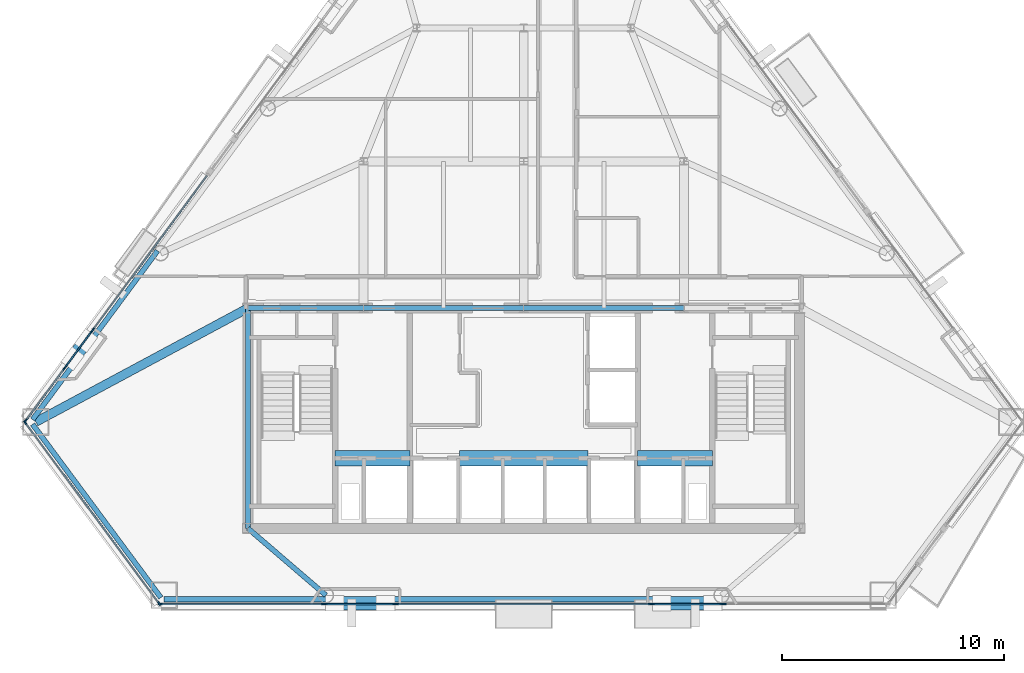
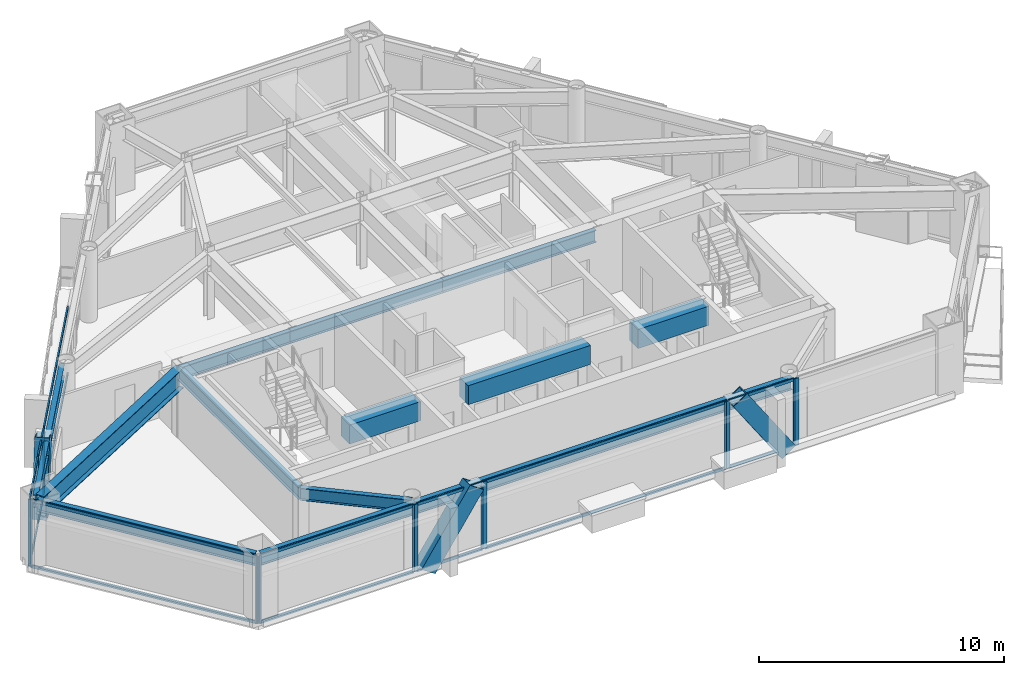
# One storey, part 3 of 11: 35 members, 13 beams, 9 elements without a shape of their own.
"""IFC4 building model written with IfcOpenShell, lengths in metres."""

from ifc_helpers import new_model, si_unit, direction, frame, origin, origin_2d, place, context, subcontext, project, spatial, rectangle, hollow_rectangle, i_section, extrude, material, layer, layer_set, material_profile, profile_set, type_object, element, aggregate, save


model = new_model("IFC4")

# Units and contexts
model_context = context("Model", 3, precision=1e-05, world=origin(), true_north=direction((0.0, 1.0)))
body_context = subcontext(model_context, "Body", "Model", "MODEL_VIEW")
ifc_project = project(units=[si_unit("LENGTHUNIT", "METRE"), si_unit("AREAUNIT", "SQUARE_METRE"), si_unit("VOLUMEUNIT", "CUBIC_METRE"), si_unit("PLANEANGLEUNIT", "RADIAN"), si_unit("MASSUNIT", "GRAM", prefix="KILO")], contexts=[model_context])

# Site, building, storey
site_placement = place(None, origin())
site = spatial("IfcSite", under=ifc_project, at=site_placement, CompositionType="ELEMENT")
building_placement = place(site_placement, origin())
building = spatial("IfcBuilding", under=site, at=building_placement, Name="Talgorran Terracotta Tower", CompositionType="ELEMENT")
storey_placement = place(building_placement, frame((0.0, 0.0, 103.199951171875)))
storey = spatial("IfcBuildingStorey", under=building, at=storey_placement, Name="L26", CompositionType="ELEMENT", Elevation=103.199951171875)

# Beams
ifc_material_1 = material(Name="Steel Grade 350 (350L0)", Category="steel")
ifc_material_profile_1 = material_profile(ifc_material_1, i_section(OverallWidth=0.39990234375, OverallDepth=1.0, WebThickness=0.01611328125, FlangeThickness=0.031005859375, at=origin_2d()), Name="1000WB296")
ifc_profile_set_1 = profile_set([ifc_material_profile_1], Name="Steel Grade 350 (350L0)")
beam_type_1 = type_object("IfcBeamType", Name="BM_1000WB296", PredefinedType="BEAM", material=ifc_profile_set_1)
beam_1_placement = place(storey_placement, frame((-12.39990234375, -4.199951171875, 2.85009765625), z_axis=(-0.88117219048, -0.472795485093, 0.0), x_axis=(0.472795485093, -0.88117219048, 0.0)))
element("IfcBeam", 1, at=beam_1_placement, inside=storey, type_object=beam_type_1, Name="L26 Floor Girder G17", PredefinedType="BEAM", context=body_context, shape_type="SweptSolid", body=[
    extrude(i_section(OverallWidth=0.39990234375, OverallDepth=1.0, WebThickness=0.01611328125, FlangeThickness=0.031005859375, at=origin_2d()), origin(), (0.0, 0.0, 1.0), 10.820068359375),
])
ifc_material_2 = material(Name="Concrete C65/80", Category="concrete")
ifc_material_profile_2 = material_profile(ifc_material_2, rectangle(XDim=0.699951171875, YDim=0.949951171875, at=origin_2d()), Name="RCCB700X950")
ifc_profile_set_2 = profile_set([ifc_material_profile_2], Name="Concrete C65/80")
beam_type_2 = type_object("IfcBeamType", Name="BM_CB_700X950", PredefinedType="LINTEL", material=ifc_profile_set_2)
beam_2_placement = place(storey_placement, frame((-8.47998046875, -10.949951171875, 2.875), z_axis=(1.0, 0.0, 0.0), x_axis=(0.0, 1.0, 0.0)))
element("IfcBeam", 2, at=beam_2_placement, inside=storey, type_object=beam_type_2, Name="L26 Core Shear-Wall Coupling Beam CB1", PredefinedType="LINTEL", context=body_context, shape_type="SweptSolid", body=[
    extrude(rectangle(XDim=0.699951171875, YDim=0.949951171875, at=origin_2d()), origin(), (0.0, 0.0, 1.0), 3.35986328125),
])
beam_3_placement = place(storey_placement, frame((-2.8798828125, -10.949951171875, 2.875), z_axis=(1.0, 0.0, 0.0), x_axis=(0.0, 1.0, 0.0)))
element("IfcBeam", 3, at=beam_3_placement, inside=storey, type_object=beam_type_2, Name="L26 Core Shear-Wall Coupling Beam CB2", PredefinedType="LINTEL", context=body_context, shape_type="SweptSolid", body=[
    extrude(rectangle(XDim=0.699951171875, YDim=0.949951171875, at=origin_2d()), origin(), (0.0, 0.0, 1.0), 5.759765625),
])
beam_4_placement = place(storey_placement, frame((5.1201171875, -10.949951171875, 2.875), z_axis=(1.0, 0.0, 0.0), x_axis=(0.0, 1.0, 0.0)))
element("IfcBeam", 4, at=beam_4_placement, inside=storey, type_object=beam_type_2, Name="L26 Core Shear-Wall Coupling Beam CB3", PredefinedType="LINTEL", context=body_context, shape_type="SweptSolid", body=[
    extrude(rectangle(XDim=0.699951171875, YDim=0.949951171875, at=origin_2d()), origin(), (0.0, 0.0, 1.0), 3.35986328125),
])
ifc_material_3 = material(Name="Steel S355 (300PLUS)", Category="steel")
ifc_material_profile_3 = material_profile(ifc_material_3, i_section(OverallWidth=0.22900390625, OverallDepth=0.611572265625, WebThickness=0.011962890625, FlangeThickness=0.01953125, at=origin_2d()), Name="610UB125")
ifc_profile_set_3 = profile_set([ifc_material_profile_3], Name="Steel S355 (300PLUS)")
beam_type_3 = type_object("IfcBeamType", Name="BM_SP_610UB125", PredefinedType="SPANDREL", material=ifc_profile_set_3)
beam_5_placement = place(storey_placement, frame((-22.0791015625, -9.422607421875, 3.044189453125), z_axis=(0.594914928608, -0.803788671057, 0.0), x_axis=(0.803788671057, 0.594914928608, 0.0)))
element("IfcBeam", 5, at=beam_5_placement, inside=storey, type_object=beam_type_3, Name="L26 Perimeter Spandrel Beam MC1-MC2", PredefinedType="SPANDREL", context=body_context, shape_type="SweptSolid", body=[
    extrude(i_section(OverallWidth=0.22900390625, OverallDepth=0.611572265625, WebThickness=0.011962890625, FlangeThickness=0.01953125, at=origin_2d()), origin(), (0.0, 0.0, 1.0), 9.6943359375),
])
beam_6_placement = place(storey_placement, frame((-16.1669921875, -17.287841796875, 3.044189453125), z_axis=(1.0, 0.0, 0.0), x_axis=(0.0, 1.0, 0.0)))
element("IfcBeam", 6, at=beam_6_placement, inside=storey, type_object=beam_type_3, Name="L26 Perimeter Spandrel Beam MC2-FC1", PredefinedType="SPANDREL", context=body_context, shape_type="SweptSolid", body=[
    extrude(i_section(OverallWidth=0.22900390625, OverallDepth=0.611572265625, WebThickness=0.011962890625, FlangeThickness=0.01953125, at=origin_2d()), origin(), (0.0, 0.0, 1.0), 7.275146484375),
])
beam_7_placement = place(storey_placement, frame((-8.891845703125, -17.287841796875, 3.044189453125), z_axis=(1.0, 0.0, 0.0), x_axis=(0.0, 1.0, 0.0)))
element("IfcBeam", 7, at=beam_7_placement, inside=storey, type_object=beam_type_3, Name="L26 Perimeter Spandrel Beam FC1-FC2", PredefinedType="SPANDREL", context=body_context, shape_type="SweptSolid", body=[
    extrude(i_section(OverallWidth=0.22900390625, OverallDepth=0.611572265625, WebThickness=0.011962890625, FlangeThickness=0.01953125, at=origin_2d()), origin(), (0.0, 0.0, 1.0), 17.78369140625),
])
beam_8_placement = place(storey_placement, frame((-16.46337890625, -1.621337890625, 3.044189453125), z_axis=(-0.594926898508, -0.803779811535, 0.0), x_axis=(0.803779811535, -0.594926898508, 0.0)))
element("IfcBeam", 8, at=beam_8_placement, inside=storey, type_object=beam_type_3, Name="L26 Perimeter Spandrel Beam FC6-MC1", PredefinedType="SPANDREL", context=body_context, shape_type="SweptSolid", body=[
    extrude(i_section(OverallWidth=0.22900390625, OverallDepth=0.611572265625, WebThickness=0.011962890625, FlangeThickness=0.01953125, at=origin_2d()), origin(), (0.0, 0.0, 1.0), 9.439453125),
])
beam_9_placement = place(storey_placement, frame((-8.891845703125, -17.10791015625, 3.044189453125), z_axis=(-0.759159629556, 0.650904491345, 0.0), x_axis=(-0.650904491345, -0.759159629556, 0.0)))
element("IfcBeam", 9, at=beam_9_placement, inside=storey, type_object=beam_type_3, Name="L26 South-West Core Tie Beam", PredefinedType="SPANDREL", context=body_context, shape_type="SweptSolid", body=[
    extrude(i_section(OverallWidth=0.22900390625, OverallDepth=0.611572265625, WebThickness=0.011962890625, FlangeThickness=0.01953125, at=origin_2d()), origin(), (0.0, 0.0, 1.0), 4.62109375),
])
beam_10_placement = place(storey_placement, frame((-12.39990234375, -14.10009765625, 3.044189453125), z_axis=(0.0, 1.0, 0.0), x_axis=(-1.0, 0.0, 0.0)))
element("IfcBeam", 10, at=beam_10_placement, inside=storey, type_object=beam_type_3, Name="L26 Core Frame Beam CFW", PredefinedType="SPANDREL", context=body_context, shape_type="SweptSolid", body=[
    extrude(i_section(OverallWidth=0.22900390625, OverallDepth=0.611572265625, WebThickness=0.011962890625, FlangeThickness=0.01953125, at=origin_2d()), origin(), (0.0, 0.0, 1.0), 9.900146484375),
])
beam_11_placement = place(storey_placement, frame((-12.39990234375, -4.199951171875, 3.044189453125), z_axis=(1.0, 0.0, 0.0), x_axis=(0.0, 1.0, 0.0)))
element("IfcBeam", 11, at=beam_11_placement, inside=storey, type_object=beam_type_3, Name="L26 Core Frame Beam CFN1", PredefinedType="SPANDREL", context=body_context, shape_type="SweptSolid", body=[
    extrude(i_section(OverallWidth=0.22900390625, OverallDepth=0.611572265625, WebThickness=0.011962890625, FlangeThickness=0.01953125, at=origin_2d()), origin(), (0.0, 0.0, 1.0), 5.199951171875),
])
for number, where, z_axis, x_axis, name in (
    (12, (-7.199951171875, -4.199951171875, 3.044189453125), (1.0, 0.0, 0.0), (0.0, 1.0, 0.0), "L26 Core Frame Beam CFN2"),
    (13, (0.0, -4.199951171875, 3.044189453125), (1.0, 0.0, 0.0), (0.0, 1.0, 0.0), "L26 Core Frame Beam CFN3"),
):
    element("IfcBeam", number, at=place(storey_placement, frame(where, z_axis=z_axis, x_axis=x_axis)), inside=storey, type_object=beam_type_3, Name=name, PredefinedType="SPANDREL", context=body_context, shape_type="SweptSolid", body=[
        extrude(i_section(OverallWidth=0.22900390625, OverallDepth=0.611572265625, WebThickness=0.011962890625, FlangeThickness=0.01953125, at=origin_2d()), origin(), (0.0, 0.0, 1.0), 7.199951171875),
    ])

# Members
ifc_material_profile_4 = material_profile(ifc_material_1, hollow_rectangle(XDim=0.6201171875, YDim=0.780029296875, WallThickness=0.0419921875, at=origin_2d()), Name="WBOX780X620X42")
ifc_profile_set_4 = profile_set([ifc_material_profile_4], Name="Steel Grade 350 (350L0)")
member_type_1 = type_object("IfcMemberType", Name="MB_MEGA_780", PredefinedType="BRACE", material=ifc_profile_set_4)
for number, where, z_axis, x_axis, name in (
    (14, (-8.501220703125, -17.4677734375, -0.02490234375), (0.558447320201, 0.0, 0.829539987319), (0.0, 1.0, 0.0), "L26 Exterior Face Mega-Brace MB-2 (SWF)"),
    (15, (8.501220703125, -17.4677734375, -0.02490234375), (-0.558447320201, 0.0, 0.829539987319), (0.0, -1.0, 0.0), "L26 Exterior Face Mega-Brace MB-2 (SEF)"),
):
    element("IfcMember", number, at=place(storey_placement, frame(where, z_axis=z_axis, x_axis=x_axis)), inside=storey, type_object=member_type_1, Name=name, PredefinedType="BRACE", context=body_context, shape_type="SweptSolid", body=[
        extrude(hollow_rectangle(XDim=0.6201171875, YDim=0.780029296875, WallThickness=0.0419921875, at=origin_2d()), origin(), (0.0, 0.0, 1.0), 4.0986328125),
    ])
member_1_placement = place(storey_placement, frame((-20.278076171875, -6.47265625, -0.02490234375), z_axis=(0.17009895809, 0.229826262144, 0.958251654674), x_axis=(-0.803795867717, 0.594905205089, 0.0)))
element("IfcMember", 16, at=member_1_placement, inside=storey, type_object=member_type_1, Name="L26 Exterior Face Mega-Brace MB-2 (NWL)", PredefinedType="BRACE", context=body_context, shape_type="SweptSolid", body=[
    extrude(hollow_rectangle(XDim=0.6201171875, YDim=0.780029296875, WallThickness=0.0419921875, at=origin_2d()), origin(), (0.0, 0.0, 1.0), 3.548095703125),
])

# Curtain wall, members
ifc_material_4 = material(Name="Unitised Low-E Double Glazing", Category="glass")
ifc_layer = layer(ifc_material_4, 0.199951171875, Name="CW_SYS2_RES_LOW")
ifc_layer_set = layer_set([ifc_layer], Name="Unitised Low-E Double Glazing")
curtain_wall_type = type_object("IfcCurtainWallType", Name="CW_SYS2_RES_LOW", PredefinedType="NOTDEFINED", material=ifc_layer_set)
curtain_wall_1_placement = place(storey_placement, origin())
curtain_wall_1 = element("IfcCurtainWall", 17, at=curtain_wall_1_placement, inside=storey, type_object=curtain_wall_type, Name="CW-L26-F0", PredefinedType="NOTDEFINED")
ifc_material_5 = material(Name="Architectural Aluminium 6063-T6", Category="aluminium")
ifc_material_profile_5 = material_profile(ifc_material_5, rectangle(XDim=0.06494140625, YDim=0.18505859375, at=origin_2d()), Name="CWM65X185")
ifc_profile_set_5 = profile_set([ifc_material_profile_5], Name="Architectural Aluminium 6063-T6")
member_type_2 = type_object("IfcMemberType", Name="MUL_65X185", PredefinedType="MULLION", material=ifc_profile_set_5)
member_2_placement = place(storey_placement, frame((-22.41259765625, -9.341796875, 0.0), z_axis=(0.0, 0.0, 1.0), x_axis=(0.803791602963, 0.594910967294, 0.0)))
member_2 = element("IfcMember", 18, at=member_2_placement, type_object=member_type_2, Name="CW-L26-0 mullion 1", PredefinedType="MULLION", context=body_context, shape_type="SweptSolid", body=[
    extrude(rectangle(XDim=0.06494140625, YDim=0.18505859375, at=origin_2d()), origin(), (0.0, 0.0, 1.0), 3.35009765625),
])
member_3_placement = place(storey_placement, frame((-16.387939453125, -17.481689453125, 0.0), z_axis=(0.0, 0.0, 1.0), x_axis=(0.803791602963, 0.594910967294, 0.0)))
member_3 = element("IfcMember", 19, at=member_3_placement, type_object=member_type_2, Name="CW-L26-0 mullion 2", PredefinedType="MULLION", context=body_context, shape_type="SweptSolid", body=[
    extrude(rectangle(XDim=0.06494140625, YDim=0.18505859375, at=origin_2d()), origin(), (0.0, 0.0, 1.0), 3.35009765625),
])

curtain_wall_2_placement = place(storey_placement, origin())
curtain_wall_2 = element("IfcCurtainWall", 20, at=curtain_wall_2_placement, inside=storey, type_object=curtain_wall_type, Name="CW-L26-F1", PredefinedType="NOTDEFINED")
member_4_placement = place(storey_placement, frame((-16.336181640625, -17.5078125, 0.0), z_axis=(0.0, 0.0, 1.0), x_axis=(0.0, 1.0, 0.0)))
member_4 = element("IfcMember", 21, at=member_4_placement, type_object=member_type_2, Name="CW-L26-1 mullion 1", PredefinedType="MULLION", context=body_context, shape_type="SweptSolid", body=[
    extrude(rectangle(XDim=0.06494140625, YDim=0.18505859375, at=origin_2d()), origin(), (0.0, 0.0, 1.0), 3.35009765625),
])
member_5_placement = place(storey_placement, frame((-9.01220703125, -17.5078125, 0.0), z_axis=(0.0, 0.0, 1.0), x_axis=(0.0, 1.0, 0.0)))
member_5 = element("IfcMember", 22, at=member_5_placement, type_object=member_type_2, Name="CW-L26-1 mullion 2", PredefinedType="MULLION", context=body_context, shape_type="SweptSolid", body=[
    extrude(rectangle(XDim=0.06494140625, YDim=0.18505859375, at=origin_2d()), origin(), (0.0, 0.0, 1.0), 3.35009765625),
])

curtain_wall_3_placement = place(storey_placement, origin())
curtain_wall_3 = element("IfcCurtainWall", 23, at=curtain_wall_3_placement, inside=storey, type_object=curtain_wall_type, Name="CW-L26-F1B", PredefinedType="NOTDEFINED")
member_6_placement = place(storey_placement, frame((-8.937255859375, -17.5078125, 0.0), z_axis=(0.0, 0.0, 1.0), x_axis=(0.0, 1.0, 0.0)))
member_6 = element("IfcMember", 24, at=member_6_placement, type_object=member_type_2, Name="CW-L26-1B mullion 1", PredefinedType="MULLION", context=body_context, shape_type="SweptSolid", body=[
    extrude(rectangle(XDim=0.06494140625, YDim=0.18505859375, at=origin_2d()), origin(), (0.0, 0.0, 1.0), 3.35009765625),
])
member_7_placement = place(storey_placement, frame((-5.7763671875, -17.5078125, 0.0), z_axis=(0.0, 0.0, 1.0), x_axis=(0.0, 1.0, 0.0)))
member_7 = element("IfcMember", 25, at=member_7_placement, type_object=member_type_2, Name="CW-L26-1B mullion 2", PredefinedType="MULLION", context=body_context, shape_type="SweptSolid", body=[
    extrude(rectangle(XDim=0.06494140625, YDim=0.18505859375, at=origin_2d()), origin(), (0.0, 0.0, 1.0), 3.35009765625),
])

curtain_wall_4_placement = place(storey_placement, origin())
curtain_wall_4 = element("IfcCurtainWall", 26, at=curtain_wall_4_placement, inside=storey, type_object=curtain_wall_type, Name="CW-L26-F1C", PredefinedType="NOTDEFINED")
member_8_placement = place(storey_placement, frame((-5.701416015625, -17.5078125, 0.0), z_axis=(0.0, 0.0, 1.0), x_axis=(0.0, 1.0, 0.0)))
member_8 = element("IfcMember", 27, at=member_8_placement, type_object=member_type_2, Name="CW-L26-1C mullion 1", PredefinedType="MULLION", context=body_context, shape_type="SweptSolid", body=[
    extrude(rectangle(XDim=0.06494140625, YDim=0.18505859375, at=origin_2d()), origin(), (0.0, 0.0, 1.0), 3.35009765625),
])
member_9_placement = place(storey_placement, frame((5.701416015625, -17.5078125, 0.0), z_axis=(0.0, 0.0, 1.0), x_axis=(0.0, 1.0, 0.0)))
member_9 = element("IfcMember", 28, at=member_9_placement, type_object=member_type_2, Name="CW-L26-1C mullion 2", PredefinedType="MULLION", context=body_context, shape_type="SweptSolid", body=[
    extrude(rectangle(XDim=0.06494140625, YDim=0.18505859375, at=origin_2d()), origin(), (0.0, 0.0, 1.0), 3.35009765625),
])

curtain_wall_5_placement = place(storey_placement, origin())
curtain_wall_5 = element("IfcCurtainWall", 29, at=curtain_wall_5_placement, inside=storey, type_object=curtain_wall_type, Name="CW-L26-F1D", PredefinedType="NOTDEFINED")
member_10_placement = place(storey_placement, frame((5.7763671875, -17.5078125, 0.0), z_axis=(0.0, 0.0, 1.0), x_axis=(0.0, 1.0, 0.0)))
member_10 = element("IfcMember", 30, at=member_10_placement, type_object=member_type_2, Name="CW-L26-1D mullion 1", PredefinedType="MULLION", context=body_context, shape_type="SweptSolid", body=[
    extrude(rectangle(XDim=0.06494140625, YDim=0.18505859375, at=origin_2d()), origin(), (0.0, 0.0, 1.0), 3.35009765625),
])
member_11_placement = place(storey_placement, frame((8.937255859375, -17.5078125, 0.0), z_axis=(0.0, 0.0, 1.0), x_axis=(0.0, 1.0, 0.0)))
member_11 = element("IfcMember", 31, at=member_11_placement, type_object=member_type_2, Name="CW-L26-1D mullion 2", PredefinedType="MULLION", context=body_context, shape_type="SweptSolid", body=[
    extrude(rectangle(XDim=0.06494140625, YDim=0.18505859375, at=origin_2d()), origin(), (0.0, 0.0, 1.0), 3.35009765625),
])

# Curtain wall, member
curtain_wall_6_placement = place(storey_placement, origin())
curtain_wall_6 = element("IfcCurtainWall", 32, at=curtain_wall_6_placement, inside=storey, type_object=curtain_wall_type, Name="CW-L26-F1E", PredefinedType="NOTDEFINED")
member_12_placement = place(storey_placement, frame((9.01220703125, -17.5078125, 0.0), z_axis=(0.0, 0.0, 1.0), x_axis=(0.0, 1.0, 0.0)))
member_12 = element("IfcMember", 33, at=member_12_placement, type_object=member_type_2, Name="CW-L26-1E mullion 1", PredefinedType="MULLION", context=body_context, shape_type="SweptSolid", body=[
    extrude(rectangle(XDim=0.06494140625, YDim=0.18505859375, at=origin_2d()), origin(), (0.0, 0.0, 1.0), 3.35009765625),
])
aggregate(curtain_wall_6, [member_12])

curtain_wall_7_placement = place(storey_placement, origin())
curtain_wall_7 = element("IfcCurtainWall", 34, at=curtain_wall_7_placement, inside=storey, type_object=curtain_wall_type, Name="CW-L26-F61", PredefinedType="NOTDEFINED")
member_13_placement = place(storey_placement, frame((-19.372802734375, -5.182373046875, 0.0), z_axis=(0.0, 0.0, 1.0), x_axis=(0.803792209183, -0.594910148221, 0.0)))
member_13 = element("IfcMember", 35, at=member_13_placement, type_object=member_type_2, Name="CW-L26-61 mullion 2", PredefinedType="MULLION", context=body_context, shape_type="SweptSolid", body=[
    extrude(rectangle(XDim=0.06494140625, YDim=0.18505859375, at=origin_2d()), origin(), (0.0, 0.0, 1.0), 3.35009765625),
])

# Curtain wall, members
curtain_wall_8_placement = place(storey_placement, origin())
curtain_wall_8 = element("IfcCurtainWall", 36, at=curtain_wall_8_placement, inside=storey, type_object=curtain_wall_type, Name="CW-L26-F61B", PredefinedType="NOTDEFINED")
member_14_placement = place(storey_placement, frame((-19.41748046875, -5.24267578125, 0.0), z_axis=(0.0, 0.0, 1.0), x_axis=(0.803791095185, -0.594911653358, 0.0)))
member_14 = element("IfcMember", 37, at=member_14_placement, type_object=member_type_2, Name="CW-L26-61B mullion 1", PredefinedType="MULLION", context=body_context, shape_type="SweptSolid", body=[
    extrude(rectangle(XDim=0.06494140625, YDim=0.18505859375, at=origin_2d()), origin(), (0.0, 0.0, 1.0), 3.35009765625),
])
member_15_placement = place(storey_placement, frame((-20.599365234375, -6.839599609375, 0.0), z_axis=(0.0, 0.0, 1.0), x_axis=(0.803791095185, -0.594911653358, 0.0)))
member_15 = element("IfcMember", 38, at=member_15_placement, type_object=member_type_2, Name="CW-L26-61B mullion 2", PredefinedType="MULLION", context=body_context, shape_type="SweptSolid", body=[
    extrude(rectangle(XDim=0.06494140625, YDim=0.18505859375, at=origin_2d()), origin(), (0.0, 0.0, 1.0), 3.35009765625),
])

curtain_wall_9_placement = place(storey_placement, origin())
curtain_wall_9 = element("IfcCurtainWall", 39, at=curtain_wall_9_placement, inside=storey, type_object=curtain_wall_type, Name="CW-L26-F61C", PredefinedType="NOTDEFINED")
member_16_placement = place(storey_placement, frame((-20.64404296875, -6.89990234375, 0.0), z_axis=(0.0, 0.0, 1.0), x_axis=(0.803782876966, -0.594922756915, 0.0)))
member_16 = element("IfcMember", 40, at=member_16_placement, type_object=member_type_2, Name="CW-L26-61C mullion 1", PredefinedType="MULLION", context=body_context, shape_type="SweptSolid", body=[
    extrude(rectangle(XDim=0.06494140625, YDim=0.18505859375, at=origin_2d()), origin(), (0.0, 0.0, 1.0), 3.35009765625),
])
member_17_placement = place(storey_placement, frame((-22.388671875, -9.25732421875, 0.0), z_axis=(0.0, 0.0, 1.0), x_axis=(0.803782876966, -0.594922756915, 0.0)))
member_17 = element("IfcMember", 41, at=member_17_placement, type_object=member_type_2, Name="CW-L26-61C mullion 2", PredefinedType="MULLION", context=body_context, shape_type="SweptSolid", body=[
    extrude(rectangle(XDim=0.06494140625, YDim=0.18505859375, at=origin_2d()), origin(), (0.0, 0.0, 1.0), 3.35009765625),
])

# Member
ifc_material_profile_6 = material_profile(ifc_material_5, rectangle(XDim=0.06494140625, YDim=0.14990234375, at=origin_2d()), Name="CWT65X150")
ifc_profile_set_6 = profile_set([ifc_material_profile_6], Name="Architectural Aluminium 6063-T6")
member_type_3 = type_object("IfcMemberType", Name="TRN_65X150", PredefinedType="USERDEFINED", material=ifc_profile_set_6)
member_18_placement = place(storey_placement, frame((-22.393310546875, -9.367919921875, 0.032470703125), z_axis=(0.594921707511, -0.803783653686, 0.0), x_axis=(0.803783653686, 0.594921707511, 0.0)))
member_18 = element("IfcMember", 42, at=member_18_placement, type_object=member_type_3, Name="CW-L26-0 transom 1.1", ObjectType="TRANSOM", PredefinedType="USERDEFINED", context=body_context, shape_type="SweptSolid", body=[
    extrude(rectangle(XDim=0.06494140625, YDim=0.14990234375, at=origin_2d()), origin(), (0.0, 0.0, 1.0), 10.06201171875),
])

member_19_placement = place(storey_placement, frame((-22.393310546875, -9.367919921875, 3.317626953125), z_axis=(0.594921707511, -0.803783653686, 0.0), x_axis=(0.803783653686, 0.594921707511, 0.0)))
member_19 = element("IfcMember", 43, at=member_19_placement, type_object=member_type_3, Name="CW-L26-0 transom 1.2", ObjectType="TRANSOM", PredefinedType="USERDEFINED", context=body_context, shape_type="SweptSolid", body=[
    extrude(rectangle(XDim=0.06494140625, YDim=0.14990234375, at=origin_2d()), origin(), (0.0, 0.0, 1.0), 10.06201171875),
])

aggregate(curtain_wall_1, [member_2, member_3, member_18, member_19])

member_20_placement = place(storey_placement, frame((-16.3037109375, -17.5078125, 0.032470703125), z_axis=(1.0, 0.0, 0.0), x_axis=(0.0, 1.0, 0.0)))
member_20 = element("IfcMember", 44, at=member_20_placement, type_object=member_type_3, Name="CW-L26-1 transom 1.1", ObjectType="TRANSOM", PredefinedType="USERDEFINED", context=body_context, shape_type="SweptSolid", body=[
    extrude(rectangle(XDim=0.06494140625, YDim=0.14990234375, at=origin_2d()), origin(), (0.0, 0.0, 1.0), 7.259033203125),
])

member_21_placement = place(storey_placement, frame((-16.3037109375, -17.5078125, 3.317626953125), z_axis=(1.0, 0.0, 0.0), x_axis=(0.0, 1.0, 0.0)))
member_21 = element("IfcMember", 45, at=member_21_placement, type_object=member_type_3, Name="CW-L26-1 transom 1.2", ObjectType="TRANSOM", PredefinedType="USERDEFINED", context=body_context, shape_type="SweptSolid", body=[
    extrude(rectangle(XDim=0.06494140625, YDim=0.14990234375, at=origin_2d()), origin(), (0.0, 0.0, 1.0), 7.259033203125),
])

aggregate(curtain_wall_2, [member_4, member_5, member_20, member_21])

member_22_placement = place(storey_placement, frame((-8.90478515625, -17.5078125, 0.032470703125), z_axis=(1.0, 0.0, 0.0), x_axis=(0.0, 1.0, 0.0)))
member_22 = element("IfcMember", 46, at=member_22_placement, type_object=member_type_3, Name="CW-L26-1B transom 1.1", ObjectType="TRANSOM", PredefinedType="USERDEFINED", context=body_context, shape_type="SweptSolid", body=[
    extrude(rectangle(XDim=0.06494140625, YDim=0.14990234375, at=origin_2d()), origin(), (0.0, 0.0, 1.0), 3.095947265625),
])

member_23_placement = place(storey_placement, frame((-8.90478515625, -17.5078125, 3.317626953125), z_axis=(1.0, 0.0, 0.0), x_axis=(0.0, 1.0, 0.0)))
member_23 = element("IfcMember", 47, at=member_23_placement, type_object=member_type_3, Name="CW-L26-1B transom 1.2", ObjectType="TRANSOM", PredefinedType="USERDEFINED", context=body_context, shape_type="SweptSolid", body=[
    extrude(rectangle(XDim=0.06494140625, YDim=0.14990234375, at=origin_2d()), origin(), (0.0, 0.0, 1.0), 3.095947265625),
])

aggregate(curtain_wall_3, [member_6, member_7, member_22, member_23])

member_24_placement = place(storey_placement, frame((-5.6689453125, -17.5078125, 0.032470703125), z_axis=(1.0, 0.0, 0.0), x_axis=(0.0, 1.0, 0.0)))
member_24 = element("IfcMember", 48, at=member_24_placement, type_object=member_type_3, Name="CW-L26-1C transom 1.1", ObjectType="TRANSOM", PredefinedType="USERDEFINED", context=body_context, shape_type="SweptSolid", body=[
    extrude(rectangle(XDim=0.06494140625, YDim=0.14990234375, at=origin_2d()), origin(), (0.0, 0.0, 1.0), 11.337890625),
])

member_25_placement = place(storey_placement, frame((-5.6689453125, -17.5078125, 3.317626953125), z_axis=(1.0, 0.0, 0.0), x_axis=(0.0, 1.0, 0.0)))
member_25 = element("IfcMember", 49, at=member_25_placement, type_object=member_type_3, Name="CW-L26-1C transom 1.2", ObjectType="TRANSOM", PredefinedType="USERDEFINED", context=body_context, shape_type="SweptSolid", body=[
    extrude(rectangle(XDim=0.06494140625, YDim=0.14990234375, at=origin_2d()), origin(), (0.0, 0.0, 1.0), 11.337890625),
])

aggregate(curtain_wall_4, [member_8, member_9, member_24, member_25])

member_26_placement = place(storey_placement, frame((5.808837890625, -17.5078125, 0.032470703125), z_axis=(1.0, 0.0, 0.0), x_axis=(0.0, 1.0, 0.0)))
member_26 = element("IfcMember", 50, at=member_26_placement, type_object=member_type_3, Name="CW-L26-1D transom 1.1", ObjectType="TRANSOM", PredefinedType="USERDEFINED", context=body_context, shape_type="SweptSolid", body=[
    extrude(rectangle(XDim=0.06494140625, YDim=0.14990234375, at=origin_2d()), origin(), (0.0, 0.0, 1.0), 3.095947265625),
])

member_27_placement = place(storey_placement, frame((5.808837890625, -17.5078125, 3.317626953125), z_axis=(1.0, 0.0, 0.0), x_axis=(0.0, 1.0, 0.0)))
member_27 = element("IfcMember", 51, at=member_27_placement, type_object=member_type_3, Name="CW-L26-1D transom 1.2", ObjectType="TRANSOM", PredefinedType="USERDEFINED", context=body_context, shape_type="SweptSolid", body=[
    extrude(rectangle(XDim=0.06494140625, YDim=0.14990234375, at=origin_2d()), origin(), (0.0, 0.0, 1.0), 3.095947265625),
])

aggregate(curtain_wall_5, [member_10, member_11, member_26, member_27])

member_28_placement = place(storey_placement, frame((-14.243896484375, 1.747314453125, 0.032470703125), z_axis=(-0.594916840083, -0.803787256297, 0.0), x_axis=(0.803787256297, -0.594916840083, 0.0)))
member_28 = element("IfcMember", 52, at=member_28_placement, type_object=member_type_3, Name="CW-L26-61 transom 1.1", ObjectType="TRANSOM", PredefinedType="USERDEFINED", context=body_context, shape_type="SweptSolid", body=[
    extrude(rectangle(XDim=0.06494140625, YDim=0.14990234375, at=origin_2d()), origin(), (0.0, 0.0, 1.0), 8.5888671875),
])

member_29_placement = place(storey_placement, frame((-14.243896484375, 1.747314453125, 3.317626953125), z_axis=(-0.594916840083, -0.803787256297, 0.0), x_axis=(0.803787256297, -0.594916840083, 0.0)))
member_29 = element("IfcMember", 53, at=member_29_placement, type_object=member_type_3, Name="CW-L26-61 transom 1.2", ObjectType="TRANSOM", PredefinedType="USERDEFINED", context=body_context, shape_type="SweptSolid", body=[
    extrude(rectangle(XDim=0.06494140625, YDim=0.14990234375, at=origin_2d()), origin(), (0.0, 0.0, 1.0), 8.5888671875),
])

aggregate(curtain_wall_7, [member_13, member_28, member_29])

member_30_placement = place(storey_placement, frame((-19.436767578125, -5.268798828125, 0.032470703125), z_axis=(-0.594926732123, -0.803779934687, 0.0), x_axis=(0.803779934687, -0.594926732123, 0.0)))
member_30 = element("IfcMember", 54, at=member_30_placement, type_object=member_type_3, Name="CW-L26-61B transom 1.1", ObjectType="TRANSOM", PredefinedType="USERDEFINED", context=body_context, shape_type="SweptSolid", body=[
    extrude(rectangle(XDim=0.06494140625, YDim=0.14990234375, at=origin_2d()), origin(), (0.0, 0.0, 1.0), 1.921875),
])

member_31_placement = place(storey_placement, frame((-19.436767578125, -5.268798828125, 3.317626953125), z_axis=(-0.594926732123, -0.803779934687, 0.0), x_axis=(0.803779934687, -0.594926732123, 0.0)))
member_31 = element("IfcMember", 55, at=member_31_placement, type_object=member_type_3, Name="CW-L26-61B transom 1.2", ObjectType="TRANSOM", PredefinedType="USERDEFINED", context=body_context, shape_type="SweptSolid", body=[
    extrude(rectangle(XDim=0.06494140625, YDim=0.14990234375, at=origin_2d()), origin(), (0.0, 0.0, 1.0), 1.921875),
])

aggregate(curtain_wall_8, [member_14, member_15, member_30, member_31])

member_32_placement = place(storey_placement, frame((-20.663330078125, -6.926025390625, 0.032470703125), z_axis=(-0.594893611805, -0.803804448006, 0.0), x_axis=(0.803804448006, -0.594893611805, 0.0)))
member_32 = element("IfcMember", 56, at=member_32_placement, type_object=member_type_3, Name="CW-L26-61C transom 1.1", ObjectType="TRANSOM", PredefinedType="USERDEFINED", context=body_context, shape_type="SweptSolid", body=[
    extrude(rectangle(XDim=0.06494140625, YDim=0.14990234375, at=origin_2d()), origin(), (0.0, 0.0, 1.0), 2.867919921875),
])

member_33_placement = place(storey_placement, frame((-20.663330078125, -6.926025390625, 3.317626953125), z_axis=(-0.594893611805, -0.803804448006, 0.0), x_axis=(0.803804448006, -0.594893611805, 0.0)))
member_33 = element("IfcMember", 57, at=member_33_placement, type_object=member_type_3, Name="CW-L26-61C transom 1.2", ObjectType="TRANSOM", PredefinedType="USERDEFINED", context=body_context, shape_type="SweptSolid", body=[
    extrude(rectangle(XDim=0.06494140625, YDim=0.14990234375, at=origin_2d()), origin(), (0.0, 0.0, 1.0), 2.867919921875),
])

aggregate(curtain_wall_9, [member_16, member_17, member_32, member_33])

save(model, "model.ifc")
